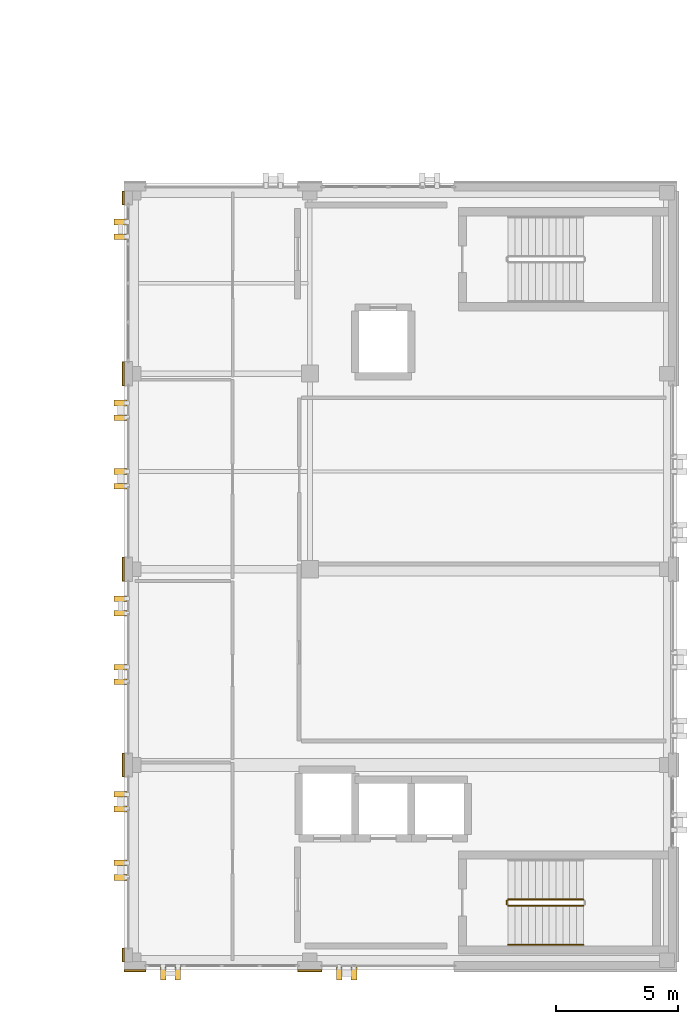
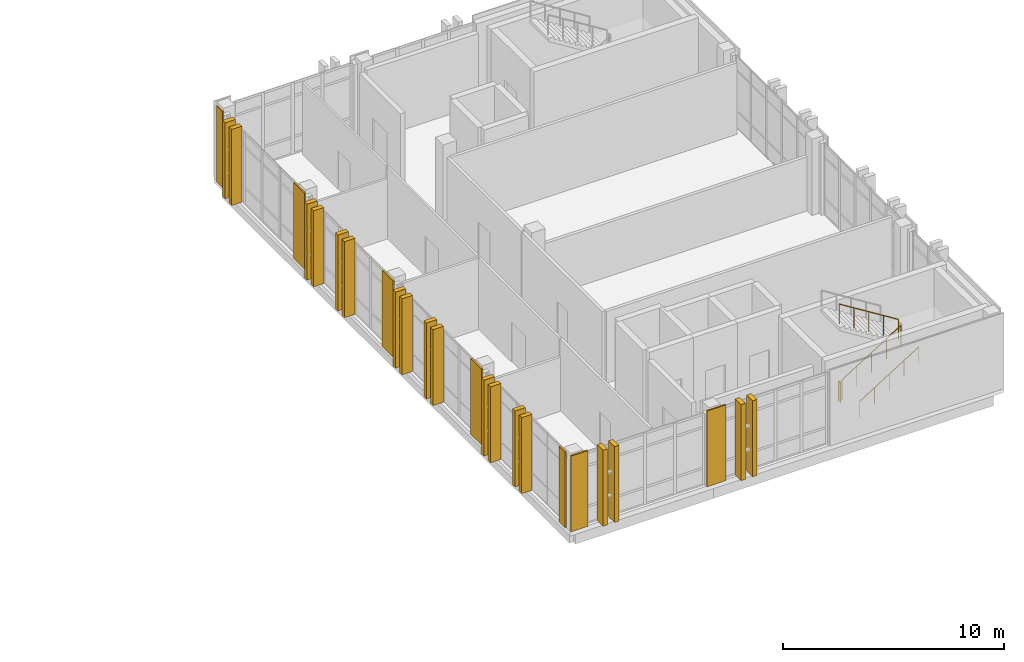
# One storey, part 20 of 22: 25 coverings, 4 railings.
"""IFC4 building model written with IfcOpenShell, lengths in metres."""

from ifc_helpers import new_model, si_unit, direction, frame, origin, origin_2d, place, context, subcontext, project, spatial, rectangle, circle, extrude, material, layer, layer_set, type_object, element, save


model = new_model("IFC4")

# Units and contexts
model_context = context("Model", 3, precision=1e-05, world=origin(), true_north=direction((0.0, 1.0)))
body_context = subcontext(model_context, "Body", "Model", "MODEL_VIEW")
ifc_project = project(units=[si_unit("LENGTHUNIT", "METRE"), si_unit("AREAUNIT", "SQUARE_METRE"), si_unit("VOLUMEUNIT", "CUBIC_METRE"), si_unit("PLANEANGLEUNIT", "RADIAN"), si_unit("MASSUNIT", "GRAM", prefix="KILO")], contexts=[model_context])

# Site, building, storey
site_placement = place(None, origin())
site = spatial("IfcSite", under=ifc_project, at=site_placement, CompositionType="ELEMENT")
building_placement = place(site_placement, origin())
building = spatial("IfcBuilding", under=site, at=building_placement, Name="Qalavern Law Courts", CompositionType="ELEMENT")
storey_placement = place(building_placement, frame((0.0, 0.0, 35.39990234375)))
storey = spatial("IfcBuildingStorey", under=building, at=storey_placement, Name="L08", CompositionType="ELEMENT", Elevation=35.39990234375)

# Coverings
ifc_material_1 = material(Name="Precast concrete C40/50", Category="concrete")
ifc_layer_1 = layer(ifc_material_1, 0.22998046875)
ifc_layer_set_1 = layer_set([ifc_layer_1], Name="Precast concrete C40/50")
covering_type_1 = type_object("IfcCoveringType", Name="ENV-BLD-2", PredefinedType="CLADDING", material=ifc_layer_set_1)
for number, where, z_axis, x_axis, name in (
    (1, (85.800048828125, 40.8798828125, 0.005126953125), (0.0, 0.0, 1.0), (0.0, -1.0, 0.0), "Absheron stone facade blade 0833"),
    (2, (86.39990234375, 40.8798828125, 0.005126953125), (0.0, 0.0, 1.0), (0.0, -1.0, 0.0), "Absheron stone facade blade 0834"),
    (3, (93.0, 40.8798828125, 0.005126953125), (0.0, 0.0, 1.0), (0.0, -1.0, 0.0), "Absheron stone facade blade 0835"),
    (4, (93.60009765625, 40.8798828125, 0.005126953125), (0.0, 0.0, 1.0), (0.0, -1.0, 0.0), "Absheron stone facade blade 0836"),
    (5, (84.06005859375, 71.60009765625, 0.005126953125), (0.0, 0.0, 1.0), (-1.0, 0.0, 0.0), "Absheron stone facade blade 0851"),
    (6, (84.06005859375, 71.0, 0.005126953125), (0.0, 0.0, 1.0), (-1.0, 0.0, 0.0), "Absheron stone facade blade 0852"),
    (7, (84.06005859375, 64.199951171875, 0.005126953125), (0.0, 0.0, 1.0), (-1.0, 0.0, 0.0), "Absheron stone facade blade 0853"),
    (8, (84.06005859375, 63.60009765625, 0.005126953125), (0.0, 0.0, 1.0), (-1.0, 0.0, 0.0), "Absheron stone facade blade 0854"),
    (9, (84.06005859375, 61.39990234375, 0.005126953125), (0.0, 0.0, 1.0), (-1.0, 0.0, 0.0), "Absheron stone facade blade 0855"),
    (10, (84.06005859375, 60.800048828125, 0.005126953125), (0.0, 0.0, 1.0), (-1.0, 0.0, 0.0), "Absheron stone facade blade 0856"),
    (11, (84.06005859375, 56.199951171875, 0.005126953125), (0.0, 0.0, 1.0), (-1.0, 0.0, 0.0), "Absheron stone facade blade 0857"),
    (12, (84.06005859375, 55.60009765625, 0.005126953125), (0.0, 0.0, 1.0), (-1.0, 0.0, 0.0), "Absheron stone facade blade 0858"),
    (13, (84.06005859375, 53.39990234375, 0.005126953125), (0.0, 0.0, 1.0), (-1.0, 0.0, 0.0), "Absheron stone facade blade 0859"),
    (14, (84.06005859375, 52.800048828125, 0.005126953125), (0.0, 0.0, 1.0), (-1.0, 0.0, 0.0), "Absheron stone facade blade 0860"),
    (15, (84.06005859375, 48.199951171875, 0.005126953125), (0.0, 0.0, 1.0), (-1.0, 0.0, 0.0), "Absheron stone facade blade 0861"),
    (16, (84.06005859375, 47.60009765625, 0.005126953125), (0.0, 0.0, 1.0), (-1.0, 0.0, 0.0), "Absheron stone facade blade 0862"),
    (17, (84.06005859375, 45.39990234375, 0.005126953125), (0.0, 0.0, 1.0), (-1.0, 0.0, 0.0), "Absheron stone facade blade 0863"),
    (18, (84.06005859375, 44.800048828125, 0.005126953125), (0.0, 0.0, 1.0), (-1.0, 0.0, 0.0), "Absheron stone facade blade 0864"),
):
    element("IfcCovering", number, at=place(storey_placement, frame(where, z_axis=z_axis, x_axis=x_axis)), inside=storey, type_object=covering_type_1, Name=name, PredefinedType="CLADDING", context=body_context, shape_type="SweptSolid", body=[
        extrude(rectangle(XDim=0.5400390625, YDim=0.22998046875, at=origin_2d()), origin(), (0.0, 0.0, 1.0), 4.18994140625),
    ])
ifc_layer_2 = layer(ifc_material_1, 0.072021484375)
ifc_layer_set_2 = layer_set([ifc_layer_2], Name="Precast concrete C40/50")
covering_type_2 = type_object("IfcCoveringType", Name="ENV-CLD-2", PredefinedType="CLADDING", material=ifc_layer_set_2)
covering_1_placement = place(storey_placement, frame((84.64990234375, 40.987060546875, 0.01025390625), z_axis=(0.0, 0.0, 1.0), x_axis=(1.0, 0.0, 0.0)))
element("IfcCovering", 19, at=covering_1_placement, inside=storey, type_object=covering_type_2, Name="V4 Absheron limestone pier facing L08 south 1", PredefinedType="CLADDING", context=body_context, shape_type="SweptSolid", body=[
    extrude(rectangle(XDim=0.8798828125, YDim=0.072021484375, at=origin_2d()), origin(), (0.0, 0.0, 1.0), 4.179931640625),
])
covering_2_placement = place(storey_placement, frame((91.800048828125, 40.987060546875, 0.01025390625), z_axis=(0.0, 0.0, 1.0), x_axis=(1.0, 0.0, 0.0)))
element("IfcCovering", 20, at=covering_2_placement, inside=storey, type_object=covering_type_2, Name="V4 Absheron limestone pier facing L08 south 2", PredefinedType="CLADDING", context=body_context, shape_type="SweptSolid", body=[
    extrude(rectangle(XDim=0.97998046875, YDim=0.072021484375, at=origin_2d()), origin(), (0.0, 0.0, 1.0), 4.179931640625),
])
covering_3_placement = place(storey_placement, frame((84.1669921875, 72.58251953125, 0.01025390625), z_axis=(0.0, 0.0, 1.0), x_axis=(0.0, -1.0, 0.0)))
element("IfcCovering", 21, at=covering_3_placement, inside=storey, type_object=covering_type_2, Name="V4 Absheron limestone pier facing L08 west 1", PredefinedType="CLADDING", context=body_context, shape_type="SweptSolid", body=[
    extrude(rectangle(XDim=0.544921875, YDim=0.072021484375, at=origin_2d()), origin(), (0.0, 0.0, 1.0), 4.179931640625),
])
for number, where, z_axis, x_axis, name in (
    (22, (84.1669921875, 65.39990234375, 0.01025390625), (0.0, 0.0, 1.0), (0.0, -1.0, 0.0), "V4 Absheron limestone pier facing L08 west 2"),
    (23, (84.1669921875, 57.39990234375, 0.01025390625), (0.0, 0.0, 1.0), (0.0, -1.0, 0.0), "V4 Absheron limestone pier facing L08 west 3"),
    (24, (84.1669921875, 49.39990234375, 0.01025390625), (0.0, 0.0, 1.0), (0.0, -1.0, 0.0), "V4 Absheron limestone pier facing L08 west 4"),
):
    element("IfcCovering", number, at=place(storey_placement, frame(where, z_axis=z_axis, x_axis=x_axis)), inside=storey, type_object=covering_type_2, Name=name, PredefinedType="CLADDING", context=body_context, shape_type="SweptSolid", body=[
        extrude(rectangle(XDim=0.97998046875, YDim=0.072021484375, at=origin_2d()), origin(), (0.0, 0.0, 1.0), 4.179931640625),
    ])
covering_4_placement = place(storey_placement, frame((84.1669921875, 41.637451171875, 0.01025390625), z_axis=(0.0, 0.0, 1.0), x_axis=(0.0, -1.0, 0.0)))
element("IfcCovering", 25, at=covering_4_placement, inside=storey, type_object=covering_type_2, Name="V4 Absheron limestone pier facing L08 west 5", PredefinedType="CLADDING", context=body_context, shape_type="SweptSolid", body=[
    extrude(rectangle(XDim=0.544921875, YDim=0.072021484375, at=origin_2d()), origin(), (0.0, 0.0, 1.0), 4.179931640625),
])

# Railings
ifc_material_2 = material(Name="Steel S355", Category="steel")
railing_type_1 = type_object("IfcRailingType", Name="INT-GUARD-1120", PredefinedType="BALUSTRADE", material=ifc_material_2)
railing_1_placement = place(storey_placement, frame((99.89990234375, 43.64990234375, 0.175048828125)))
element("IfcRailing", 26, at=railing_1_placement, inside=storey, type_object=railing_type_1, Name="L08 ST-K1A stair guard 1", PredefinedType="BALUSTRADE", context=body_context, shape_type="SweptSolid", body=[
    extrude(circle(Radius=0.02392578125, at=origin_2d()), frame((0.0, 0.0, 1.09619140625), z_axis=(0.847998304005, 0.0, 0.529998940003), x_axis=(0.0, 1.0, 0.0)), (0.0, 0.0, 1.0), 3.632080078125),
    extrude(circle(Radius=0.02099609375, at=origin_2d()), origin(), (0.0, 0.0, 1.0), 1.072021484375),
    extrude(circle(Radius=0.02099609375, at=origin_2d()), frame((0.77001953125, 0.0, 0.481201171875)), (0.0, 0.0, 1.0), 1.072021484375),
    extrude(circle(Radius=0.02099609375, at=origin_2d()), frame((1.5400390625, 0.0, 0.96240234375)), (0.0, 0.0, 1.0), 1.072021484375),
    extrude(circle(Radius=0.02099609375, at=origin_2d()), frame((2.31005859375, 0.0, 1.44384765625)), (0.0, 0.0, 1.0), 1.072021484375),
    extrude(circle(Radius=0.02099609375, at=origin_2d()), frame((3.080078125, 0.0, 1.925048828125)), (0.0, 0.0, 1.0), 1.072021484375),
])
railing_2_placement = place(storey_placement, frame((102.97998046875, 43.89990234375, 2.275146484375)))
element("IfcRailing", 27, at=railing_2_placement, inside=storey, type_object=railing_type_1, Name="L08 ST-K1A stair guard 3", PredefinedType="BALUSTRADE", context=body_context, shape_type="SweptSolid", body=[
    extrude(circle(Radius=0.02392578125, at=origin_2d()), frame((0.0, 0.0, 1.09619140625), z_axis=(-0.847998304005, 0.0, 0.529998940003), x_axis=(0.0, -1.0, 0.0)), (0.0, 0.0, 1.0), 3.632080078125),
    extrude(circle(Radius=0.02099609375, at=origin_2d()), origin(), (0.0, 0.0, 1.0), 1.072021484375),
    extrude(circle(Radius=0.02099609375, at=origin_2d()), frame((-0.77001953125, 0.0, 0.481201171875)), (0.0, 0.0, 1.0), 1.072021484375),
    extrude(circle(Radius=0.02099609375, at=origin_2d()), frame((-1.5400390625, 0.0, 0.96240234375)), (0.0, 0.0, 1.0), 1.072021484375),
    extrude(circle(Radius=0.02099609375, at=origin_2d()), frame((-2.31005859375, 0.0, 1.44384765625)), (0.0, 0.0, 1.0), 1.072021484375),
    extrude(circle(Radius=0.02099609375, at=origin_2d()), frame((-3.080078125, 0.0, 1.925048828125)), (0.0, 0.0, 1.0), 1.072021484375),
])
railing_3_placement = place(storey_placement, frame((99.85009765625, 43.699951171875, 0.0)))
element("IfcRailing", 28, at=railing_3_placement, inside=storey, type_object=railing_type_1, Name="L08 ST-K1A stair guard 4", PredefinedType="BALUSTRADE", context=body_context, shape_type="SweptSolid", body=[
    extrude(circle(Radius=0.02392578125, at=origin_2d()), frame((0.0, 0.0, 1.09619140625), z_axis=(0.0, 1.0, 0.0), x_axis=(-1.0, 0.0, 0.0)), (0.0, 0.0, 1.0), 0.150146484375),
    extrude(circle(Radius=0.02099609375, at=origin_2d()), origin(), (0.0, 0.0, 1.0), 1.072021484375),
    extrude(circle(Radius=0.02099609375, at=origin_2d()), frame((0.0, 0.150146484375, 0.0)), (0.0, 0.0, 1.0), 1.072021484375),
])
railing_type_2 = type_object("IfcRailingType", Name="INT-HRAIL-920", PredefinedType="HANDRAIL", material=ifc_material_2)
railing_4_placement = place(storey_placement, frame((99.89990234375, 42.050048828125, 0.175048828125)))
element("IfcRailing", 29, at=railing_4_placement, inside=storey, type_object=railing_type_2, Name="L08 ST-K1A stair handrail 1", PredefinedType="HANDRAIL", context=body_context, shape_type="SweptSolid", body=[
    extrude(circle(Radius=0.02392578125, at=origin_2d()), frame((0.0, 0.0, 0.8759765625), z_axis=(0.847998304005, 0.0, 0.529998940003), x_axis=(0.0, 1.0, 0.0)), (0.0, 0.0, 1.0), 3.632080078125),
    extrude(circle(Radius=0.02099609375, at=origin_2d()), origin(), (0.0, 0.0, 1.0), 0.851806640625),
    extrude(circle(Radius=0.02099609375, at=origin_2d()), frame((0.77001953125, 0.0, 0.481201171875)), (0.0, 0.0, 1.0), 0.851806640625),
    extrude(circle(Radius=0.02099609375, at=origin_2d()), frame((1.5400390625, 0.0, 0.96240234375)), (0.0, 0.0, 1.0), 0.851806640625),
    extrude(circle(Radius=0.02099609375, at=origin_2d()), frame((2.31005859375, 0.0, 1.44384765625)), (0.0, 0.0, 1.0), 0.851806640625),
    extrude(circle(Radius=0.02099609375, at=origin_2d()), frame((3.080078125, 0.0, 1.925048828125)), (0.0, 0.0, 1.0), 0.851806640625),
])

save(model, "model.ifc")
